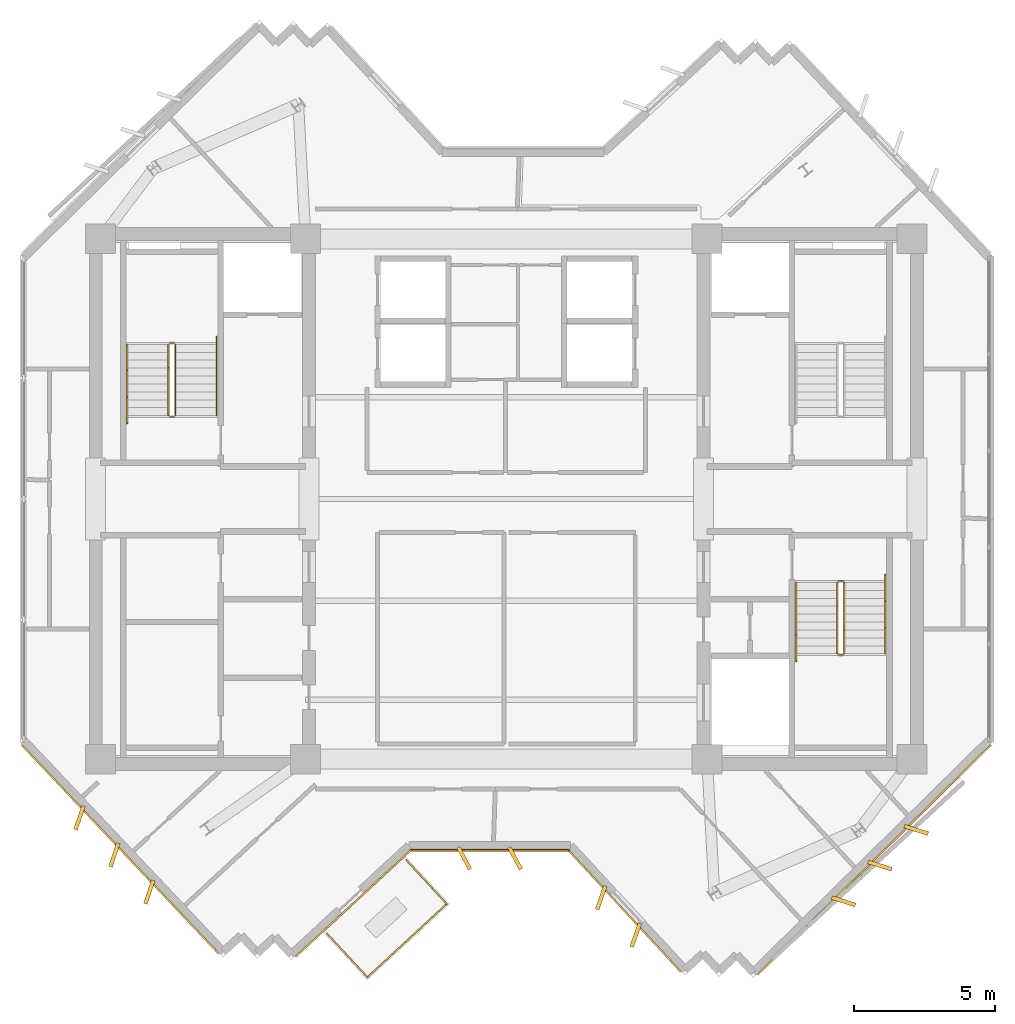
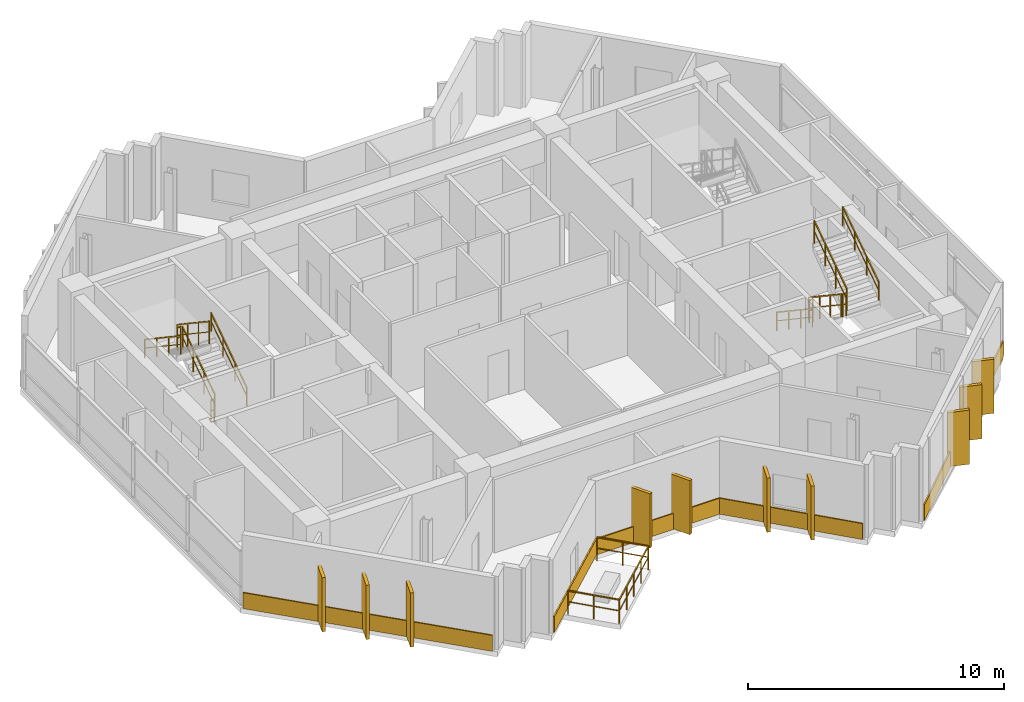
# One storey, part 8 of 9: 15 coverings, 15 railings.
"""IFC4 building model written with IfcOpenShell, lengths in metres."""

from ifc_helpers import new_model, si_unit, direction, frame, origin, origin_2d, place, context, subcontext, project, spatial, rectangle, extrude, source, transform, mapped, material, layer, layer_set, type_object, element, save


model = new_model("IFC4")

# Units and contexts
model_context = context("Model", 3, precision=1e-05, world=origin(), true_north=direction((0.0, 1.0)))
body_context = subcontext(model_context, "Body", "Model", "MODEL_VIEW")
ifc_project = project(units=[si_unit("LENGTHUNIT", "METRE"), si_unit("AREAUNIT", "SQUARE_METRE"), si_unit("VOLUMEUNIT", "CUBIC_METRE"), si_unit("PLANEANGLEUNIT", "RADIAN"), si_unit("MASSUNIT", "GRAM", prefix="KILO")], contexts=[model_context])

# Site, building, storey
site_placement = place(None, origin())
site = spatial("IfcSite", under=ifc_project, at=site_placement, CompositionType="ELEMENT")
building_placement = place(site_placement, origin())
building = spatial("IfcBuilding", under=site, at=building_placement, Name="Zahravan Cultural Tower", CompositionType="ELEMENT")
storey_placement = place(building_placement, frame((0.0, 0.0, 299.10009765625)))
storey = spatial("IfcBuildingStorey", under=building, at=storey_placement, Name="L72", CompositionType="ELEMENT", Elevation=299.10009765625)

# Railings
ifc_material_1 = material(Name="Steel ASTM A572 Grade 50", Category="steel")
railing_type_1 = type_object("IfcRailingType", Name="RL-BAL-1150", PredefinedType="BALUSTRADE", material=ifc_material_1)
railing_1_placement = place(storey_placement, frame((33.891845703125, 12.681640625, 0.0)))
element("IfcRailing", 1, at=railing_1_placement, inside=storey, type_object=railing_type_1, Name="L72 Edge Balustrade GRD-TR-L72-SW-01", PredefinedType="BALUSTRADE", context=body_context, shape_type="SweptSolid", body=[
    extrude(rectangle(XDim=0.05, YDim=0.05, at=origin_2d()), frame((0.0, 0.0, 1.125), z_axis=(-0.73411696243, -0.679023037512, 0.0), x_axis=(0.679023037512, -0.73411696243, 0.0)), (0.0, 0.0, 1.0), 3.81982421875),
    extrude(rectangle(XDim=0.032, YDim=0.032, at=origin_2d()), frame((0.0, 0.0, 0.597900390625), z_axis=(-0.73411696243, -0.679023037512, 0.0), x_axis=(0.679023037512, -0.73411696243, 0.0)), (0.0, 0.0, 1.0), 3.81982421875),
    extrude(rectangle(XDim=0.04, YDim=0.04, at=origin_2d()), origin(), (0.0, 0.0, 1.0), 1.14990234375),
    extrude(rectangle(XDim=0.04, YDim=0.04, at=origin_2d()), frame((-0.701171875, -0.6484375, 0.0)), (0.0, 0.0, 1.0), 1.14990234375),
    extrude(rectangle(XDim=0.04, YDim=0.04, at=origin_2d()), frame((-1.402099609375, -1.296875, 0.0)), (0.0, 0.0, 1.0), 1.14990234375),
    extrude(rectangle(XDim=0.04, YDim=0.04, at=origin_2d()), frame((-2.10302734375, -1.9453125, 0.0)), (0.0, 0.0, 1.0), 1.14990234375),
    extrude(rectangle(XDim=0.04, YDim=0.04, at=origin_2d()), frame((-2.80419921875, -2.59375, 0.0)), (0.0, 0.0, 1.0), 1.14990234375),
])
railing_2_placement = place(storey_placement, frame((31.087646484375, 10.087890625, 0.0)))
element("IfcRailing", 2, at=railing_2_placement, inside=storey, type_object=railing_type_1, Name="L72 Edge Balustrade GRD-TR-L72-SW-02", PredefinedType="BALUSTRADE", context=body_context, shape_type="SweptSolid", body=[
    extrude(rectangle(XDim=0.05, YDim=0.05, at=origin_2d()), frame((0.0, 0.0, 1.125), z_axis=(-0.679076439969, 0.73406756411, 0.0), x_axis=(-0.73406756411, -0.679076439969, 0.0)), (0.0, 0.0, 1.0), 2.099853515625),
    extrude(rectangle(XDim=0.032, YDim=0.032, at=origin_2d()), frame((0.0, 0.0, 0.597900390625), z_axis=(-0.679076439969, 0.73406756411, 0.0), x_axis=(-0.73406756411, -0.679076439969, 0.0)), (0.0, 0.0, 1.0), 2.099853515625),
    extrude(rectangle(XDim=0.04, YDim=0.04, at=origin_2d()), origin(), (0.0, 0.0, 1.0), 1.14990234375),
    extrude(rectangle(XDim=0.04, YDim=0.04, at=origin_2d()), frame((-0.712890625, 0.770751953125, 0.0)), (0.0, 0.0, 1.0), 1.14990234375),
    extrude(rectangle(XDim=0.04, YDim=0.04, at=origin_2d()), frame((-1.426025390625, 1.54150390625, 0.0)), (0.0, 0.0, 1.0), 1.14990234375),
])
railing_3_placement = place(storey_placement, frame((32.4658203125, 14.223388671875, 0.0)))
element("IfcRailing", 3, at=railing_3_placement, inside=storey, type_object=railing_type_1, Name="L72 Edge Balustrade GRD-TR-L72-SW-03", PredefinedType="BALUSTRADE", context=body_context, shape_type="SweptSolid", body=[
    extrude(rectangle(XDim=0.05, YDim=0.05, at=origin_2d()), frame((0.0, 0.0, 1.125), z_axis=(0.679018488434, -0.734121170084, 0.0), x_axis=(0.734121170084, 0.679018488434, 0.0)), (0.0, 0.0, 1.0), 2.10009765625),
    extrude(rectangle(XDim=0.032, YDim=0.032, at=origin_2d()), frame((0.0, 0.0, 0.597900390625), z_axis=(0.679018488434, -0.734121170084, 0.0), x_axis=(0.734121170084, 0.679018488434, 0.0)), (0.0, 0.0, 1.0), 2.10009765625),
    extrude(rectangle(XDim=0.04, YDim=0.04, at=origin_2d()), origin(), (0.0, 0.0, 1.0), 1.14990234375),
    extrude(rectangle(XDim=0.04, YDim=0.04, at=origin_2d()), frame((0.712890625, -0.77099609375, 0.0)), (0.0, 0.0, 1.0), 1.14990234375),
    extrude(rectangle(XDim=0.04, YDim=0.04, at=origin_2d()), frame((1.426025390625, -1.541748046875, 0.0)), (0.0, 0.0, 1.0), 1.14990234375),
])
railing_type_2 = type_object("IfcRailingType", Name="RL-STAIR-GRD1150", PredefinedType="BALUSTRADE", material=ifc_material_1)
railing_4_placement = place(storey_placement, frame((24.300048828125, 29.949951171875, 0.1875)))
element("IfcRailing", 4, at=railing_4_placement, inside=storey, type_object=railing_type_2, Name="L72 ST-W1 stair guard 1", PredefinedType="BALUSTRADE", context=body_context, shape_type="SweptSolid", body=[
    extrude(rectangle(XDim=0.05, YDim=0.05, at=origin_2d()), frame((0.0, 0.0, 1.0751953125), z_axis=(0.0, 0.830909170722, 0.55640807867), x_axis=(-1.0, 0.0, 0.0)), (0.0, 0.0, 1.0), 3.032958984375),
    extrude(rectangle(XDim=0.032, YDim=0.032, at=origin_2d()), frame((0.0, 0.0, 0.572021484375), z_axis=(0.0, 0.830909170722, 0.55640807867), x_axis=(-1.0, 0.0, 0.0)), (0.0, 0.0, 1.0), 3.032958984375),
    extrude(rectangle(XDim=0.04, YDim=0.04, at=origin_2d()), origin(), (0.0, 0.0, 1.0), 1.10009765625),
    extrude(rectangle(XDim=0.04, YDim=0.04, at=origin_2d()), frame((0.0, 0.840087890625, 0.5625)), (0.0, 0.0, 1.0), 1.10009765625),
    extrude(rectangle(XDim=0.04, YDim=0.04, at=origin_2d()), frame((0.0, 1.679931640625, 1.125)), (0.0, 0.0, 1.0), 1.10009765625),
    extrude(rectangle(XDim=0.04, YDim=0.04, at=origin_2d()), frame((0.0, 2.52001953125, 1.6875)), (0.0, 0.0, 1.0), 1.10009765625),
])
railing_5_placement = place(storey_placement, frame((24.25, 32.52001953125, 1.875)))
element("IfcRailing", 5, at=railing_5_placement, inside=storey, type_object=railing_type_2, Name="L72 ST-W1 stair guard 2", PredefinedType="BALUSTRADE", context=body_context, shape_type="SweptSolid", body=[
    extrude(rectangle(XDim=0.05, YDim=0.05, at=origin_2d()), frame((0.0, 0.0, 1.0751953125), z_axis=(-1.0, 0.0, 0.0), x_axis=(0.0, -1.0, 0.0)), (0.0, 0.0, 1.0), 0.14990234375),
    extrude(rectangle(XDim=0.032, YDim=0.032, at=origin_2d()), frame((0.0, 0.0, 0.572021484375), z_axis=(-1.0, 0.0, 0.0), x_axis=(0.0, -1.0, 0.0)), (0.0, 0.0, 1.0), 0.14990234375),
    extrude(rectangle(XDim=0.04, YDim=0.04, at=origin_2d()), origin(), (0.0, 0.0, 1.0), 1.10009765625),
    extrude(rectangle(XDim=0.04, YDim=0.04, at=origin_2d()), frame((-0.14990234375, 0.0, 0.0)), (0.0, 0.0, 1.0), 1.10009765625),
])
railing_6_placement = place(storey_placement, frame((24.050048828125, 32.469970703125, 2.0625)))
element("IfcRailing", 6, at=railing_6_placement, inside=storey, type_object=railing_type_2, Name="L72 ST-W1 stair guard 3", PredefinedType="BALUSTRADE", context=body_context, shape_type="SweptSolid", body=[
    extrude(rectangle(XDim=0.05, YDim=0.05, at=origin_2d()), frame((0.0, 0.0, 1.0751953125), z_axis=(0.0, -0.830909170722, 0.55640807867), x_axis=(1.0, 0.0, 0.0)), (0.0, 0.0, 1.0), 3.032958984375),
    extrude(rectangle(XDim=0.032, YDim=0.032, at=origin_2d()), frame((0.0, 0.0, 0.572021484375), z_axis=(0.0, -0.830909170722, 0.55640807867), x_axis=(1.0, 0.0, 0.0)), (0.0, 0.0, 1.0), 3.032958984375),
    extrude(rectangle(XDim=0.04, YDim=0.04, at=origin_2d()), origin(), (0.0, 0.0, 1.0), 1.10009765625),
    extrude(rectangle(XDim=0.04, YDim=0.04, at=origin_2d()), frame((0.0, -0.840087890625, 0.5625)), (0.0, 0.0, 1.0), 1.10009765625),
    extrude(rectangle(XDim=0.04, YDim=0.04, at=origin_2d()), frame((0.0, -1.679931640625, 1.125)), (0.0, 0.0, 1.0), 1.10009765625),
    extrude(rectangle(XDim=0.04, YDim=0.04, at=origin_2d()), frame((0.0, -2.52001953125, 1.6875)), (0.0, 0.0, 1.0), 1.10009765625),
])
railing_7_placement = place(storey_placement, frame((24.25, 29.89990234375, 0.0)))
element("IfcRailing", 7, at=railing_7_placement, inside=storey, type_object=railing_type_2, Name="L72 ST-W1 stair guard 4", PredefinedType="BALUSTRADE", context=body_context, shape_type="SweptSolid", body=[
    extrude(rectangle(XDim=0.05, YDim=0.05, at=origin_2d()), frame((0.0, 0.0, 1.0751953125), z_axis=(-1.0, 0.0, 0.0), x_axis=(0.0, -1.0, 0.0)), (0.0, 0.0, 1.0), 0.14990234375),
    extrude(rectangle(XDim=0.032, YDim=0.032, at=origin_2d()), frame((0.0, 0.0, 0.572021484375), z_axis=(-1.0, 0.0, 0.0), x_axis=(0.0, -1.0, 0.0)), (0.0, 0.0, 1.0), 0.14990234375),
    extrude(rectangle(XDim=0.04, YDim=0.04, at=origin_2d()), origin(), (0.0, 0.0, 1.0), 1.10009765625),
    extrude(rectangle(XDim=0.04, YDim=0.04, at=origin_2d()), frame((-0.14990234375, 0.0, 0.0)), (0.0, 0.0, 1.0), 1.10009765625),
])
railing_8_placement = place(storey_placement, frame((47.699951171875, 24.050048828125, 0.1875)))
element("IfcRailing", 8, at=railing_8_placement, inside=storey, type_object=railing_type_2, Name="L72 ST-E2 stair guard 1", PredefinedType="BALUSTRADE", context=body_context, shape_type="SweptSolid", body=[
    extrude(rectangle(XDim=0.05, YDim=0.05, at=origin_2d()), frame((0.0, 0.0, 1.0751953125), z_axis=(0.0, -0.830909170722, 0.55640807867), x_axis=(1.0, 0.0, 0.0)), (0.0, 0.0, 1.0), 3.032958984375),
    extrude(rectangle(XDim=0.032, YDim=0.032, at=origin_2d()), frame((0.0, 0.0, 0.572021484375), z_axis=(0.0, -0.830909170722, 0.55640807867), x_axis=(1.0, 0.0, 0.0)), (0.0, 0.0, 1.0), 3.032958984375),
    extrude(rectangle(XDim=0.04, YDim=0.04, at=origin_2d()), origin(), (0.0, 0.0, 1.0), 1.10009765625),
    extrude(rectangle(XDim=0.04, YDim=0.04, at=origin_2d()), frame((0.0, -0.840087890625, 0.5625)), (0.0, 0.0, 1.0), 1.10009765625),
    extrude(rectangle(XDim=0.04, YDim=0.04, at=origin_2d()), frame((0.0, -1.679931640625, 1.125)), (0.0, 0.0, 1.0), 1.10009765625),
    extrude(rectangle(XDim=0.04, YDim=0.04, at=origin_2d()), frame((0.0, -2.52001953125, 1.6875)), (0.0, 0.0, 1.0), 1.10009765625),
])
railing_9_placement = place(storey_placement, frame((47.75, 21.47998046875, 1.875)))
element("IfcRailing", 9, at=railing_9_placement, inside=storey, type_object=railing_type_2, Name="L72 ST-E2 stair guard 2", PredefinedType="BALUSTRADE", context=body_context, shape_type="SweptSolid", body=[
    extrude(rectangle(XDim=0.05, YDim=0.05, at=origin_2d()), frame((0.0, 0.0, 1.0751953125), z_axis=(1.0, 0.0, 0.0), x_axis=(0.0, 1.0, 0.0)), (0.0, 0.0, 1.0), 0.14990234375),
    extrude(rectangle(XDim=0.032, YDim=0.032, at=origin_2d()), frame((0.0, 0.0, 0.572021484375), z_axis=(1.0, 0.0, 0.0), x_axis=(0.0, 1.0, 0.0)), (0.0, 0.0, 1.0), 0.14990234375),
    extrude(rectangle(XDim=0.04, YDim=0.04, at=origin_2d()), origin(), (0.0, 0.0, 1.0), 1.10009765625),
    extrude(rectangle(XDim=0.04, YDim=0.04, at=origin_2d()), frame((0.14990234375, 0.0, 0.0)), (0.0, 0.0, 1.0), 1.10009765625),
])
railing_10_placement = place(storey_placement, frame((47.949951171875, 21.530029296875, 2.0625)))
element("IfcRailing", 10, at=railing_10_placement, inside=storey, type_object=railing_type_2, Name="L72 ST-E2 stair guard 3", PredefinedType="BALUSTRADE", context=body_context, shape_type="SweptSolid", body=[
    extrude(rectangle(XDim=0.05, YDim=0.05, at=origin_2d()), frame((0.0, 0.0, 1.0751953125), z_axis=(0.0, 0.830909170722, 0.55640807867), x_axis=(-1.0, 0.0, 0.0)), (0.0, 0.0, 1.0), 3.032958984375),
    extrude(rectangle(XDim=0.032, YDim=0.032, at=origin_2d()), frame((0.0, 0.0, 0.572021484375), z_axis=(0.0, 0.830909170722, 0.55640807867), x_axis=(-1.0, 0.0, 0.0)), (0.0, 0.0, 1.0), 3.032958984375),
    extrude(rectangle(XDim=0.04, YDim=0.04, at=origin_2d()), origin(), (0.0, 0.0, 1.0), 1.10009765625),
    extrude(rectangle(XDim=0.04, YDim=0.04, at=origin_2d()), frame((0.0, 0.840087890625, 0.5625)), (0.0, 0.0, 1.0), 1.10009765625),
    extrude(rectangle(XDim=0.04, YDim=0.04, at=origin_2d()), frame((0.0, 1.679931640625, 1.125)), (0.0, 0.0, 1.0), 1.10009765625),
    extrude(rectangle(XDim=0.04, YDim=0.04, at=origin_2d()), frame((0.0, 2.52001953125, 1.6875)), (0.0, 0.0, 1.0), 1.10009765625),
])
railing_11_placement = place(storey_placement, frame((47.75, 24.10009765625, 0.0)))
element("IfcRailing", 11, at=railing_11_placement, inside=storey, type_object=railing_type_2, Name="L72 ST-E2 stair guard 4", PredefinedType="BALUSTRADE", context=body_context, shape_type="SweptSolid", body=[
    extrude(rectangle(XDim=0.05, YDim=0.05, at=origin_2d()), frame((0.0, 0.0, 1.0751953125), z_axis=(1.0, 0.0, 0.0), x_axis=(0.0, 1.0, 0.0)), (0.0, 0.0, 1.0), 0.14990234375),
    extrude(rectangle(XDim=0.032, YDim=0.032, at=origin_2d()), frame((0.0, 0.0, 0.572021484375), z_axis=(1.0, 0.0, 0.0), x_axis=(0.0, 1.0, 0.0)), (0.0, 0.0, 1.0), 0.14990234375),
    extrude(rectangle(XDim=0.04, YDim=0.04, at=origin_2d()), origin(), (0.0, 0.0, 1.0), 1.10009765625),
    extrude(rectangle(XDim=0.04, YDim=0.04, at=origin_2d()), frame((0.14990234375, 0.0, 0.0)), (0.0, 0.0, 1.0), 1.10009765625),
])
railing_type_3 = type_object("IfcRailingType", Name="RL-STAIR-HR900", PredefinedType="HANDRAIL", material=ifc_material_1)
railing_12_placement = place(storey_placement, frame((25.75, 29.949951171875, 0.1875)))
element("IfcRailing", 12, at=railing_12_placement, inside=storey, type_object=railing_type_3, Name="L72 ST-W1 stair handrail 1", PredefinedType="HANDRAIL", context=body_context, shape_type="SweptSolid", body=[
    extrude(rectangle(XDim=0.05, YDim=0.05, at=origin_2d()), frame((0.0, 0.0, 0.875), z_axis=(0.0, 0.830911662861, 0.55640435703), x_axis=(-1.0, 0.0, 0.0)), (0.0, 0.0, 1.0), 3.369873046875),
    extrude(rectangle(XDim=0.032, YDim=0.032, at=origin_2d()), frame((0.0, 0.0, 0.468017578125), z_axis=(0.0, 0.830911662861, 0.55640435703), x_axis=(-1.0, 0.0, 0.0)), (0.0, 0.0, 1.0), 3.369873046875),
    extrude(rectangle(XDim=0.04, YDim=0.04, at=origin_2d()), origin(), (0.0, 0.0, 1.0), 0.89990234375),
    extrude(rectangle(XDim=0.04, YDim=0.04, at=origin_2d()), frame((0.0, 0.933349609375, 0.625)), (0.0, 0.0, 1.0), 0.89990234375),
    extrude(rectangle(XDim=0.04, YDim=0.04, at=origin_2d()), frame((0.0, 1.86669921875, 1.25)), (0.0, 0.0, 1.0), 0.89990234375),
    extrude(rectangle(XDim=0.04, YDim=0.04, at=origin_2d()), frame((0.0, 2.800048828125, 1.875)), (0.0, 0.0, 1.0), 0.89990234375),
])
for number, where, name in (
    (13, (22.60009765625, 32.469970703125, 2.0625), "L72 ST-W1 stair handrail 2"),
    (14, (46.25, 24.050048828125, 0.1875), "L72 ST-E2 stair handrail 1"),
):
    element("IfcRailing", number, at=place(storey_placement, frame(where)), inside=storey, type_object=railing_type_3, Name=name, PredefinedType="HANDRAIL", context=body_context, shape_type="SweptSolid", body=[
        extrude(rectangle(XDim=0.05, YDim=0.05, at=origin_2d()), frame((0.0, 0.0, 0.875), z_axis=(0.0, -0.830911662861, 0.55640435703), x_axis=(1.0, 0.0, 0.0)), (0.0, 0.0, 1.0), 3.369873046875),
        extrude(rectangle(XDim=0.032, YDim=0.032, at=origin_2d()), frame((0.0, 0.0, 0.468017578125), z_axis=(0.0, -0.830911662861, 0.55640435703), x_axis=(1.0, 0.0, 0.0)), (0.0, 0.0, 1.0), 3.369873046875),
        extrude(rectangle(XDim=0.04, YDim=0.04, at=origin_2d()), origin(), (0.0, 0.0, 1.0), 0.89990234375),
        extrude(rectangle(XDim=0.04, YDim=0.04, at=origin_2d()), frame((0.0, -0.933349609375, 0.625)), (0.0, 0.0, 1.0), 0.89990234375),
        extrude(rectangle(XDim=0.04, YDim=0.04, at=origin_2d()), frame((0.0, -1.86669921875, 1.25)), (0.0, 0.0, 1.0), 0.89990234375),
        extrude(rectangle(XDim=0.04, YDim=0.04, at=origin_2d()), frame((0.0, -2.800048828125, 1.875)), (0.0, 0.0, 1.0), 0.89990234375),
    ])
railing_13_placement = place(storey_placement, frame((49.39990234375, 21.530029296875, 2.0625)))
element("IfcRailing", 15, at=railing_13_placement, inside=storey, type_object=railing_type_3, Name="L72 ST-E2 stair handrail 2", PredefinedType="HANDRAIL", context=body_context, shape_type="SweptSolid", body=[
    extrude(rectangle(XDim=0.05, YDim=0.05, at=origin_2d()), frame((0.0, 0.0, 0.875), z_axis=(0.0, 0.830911662861, 0.55640435703), x_axis=(-1.0, 0.0, 0.0)), (0.0, 0.0, 1.0), 3.369873046875),
    extrude(rectangle(XDim=0.032, YDim=0.032, at=origin_2d()), frame((0.0, 0.0, 0.468017578125), z_axis=(0.0, 0.830911662861, 0.55640435703), x_axis=(-1.0, 0.0, 0.0)), (0.0, 0.0, 1.0), 3.369873046875),
    extrude(rectangle(XDim=0.04, YDim=0.04, at=origin_2d()), origin(), (0.0, 0.0, 1.0), 0.89990234375),
    extrude(rectangle(XDim=0.04, YDim=0.04, at=origin_2d()), frame((0.0, 0.933349609375, 0.625)), (0.0, 0.0, 1.0), 0.89990234375),
    extrude(rectangle(XDim=0.04, YDim=0.04, at=origin_2d()), frame((0.0, 1.86669921875, 1.25)), (0.0, 0.0, 1.0), 0.89990234375),
    extrude(rectangle(XDim=0.04, YDim=0.04, at=origin_2d()), frame((0.0, 2.800048828125, 1.875)), (0.0, 0.0, 1.0), 0.89990234375),
])

# Coverings
ifc_material_2 = material(Name="Terracotta ceramic cladding", Category="masonry")
ifc_layer = layer(ifc_material_2, 0.06005859375)
ifc_layer_set = layer_set([ifc_layer], Name="Terracotta ceramic cladding")
covering_type = type_object("IfcCoveringType", Name="COV-CLAD-TC60", PredefinedType="CLADDING", material=ifc_layer_set)
shared_shape_1 = source(origin(), body_context, "Body", "SweptSolid", [
    extrude(rectangle(XDim=0.8798828125, YDim=0.139892578125, at=origin_2d()), origin(), (0.0, 0.0, 1.0), 2.580078125),
])
for number, where, z_axis, x_axis, name in (
    (16, (50.493408203125, 15.29931640625, 0.0498046875), (0.0, 0.0, 1.0), (0.954015632209, -0.299756857304, 0.0), "L72 Herringbone Terracotta Fin 06"),
    (17, (49.2109375, 14.03662109375, 0.0498046875), (0.0, 0.0, 1.0), (0.954015632209, -0.299756857304, 0.0), "L72 Herringbone Terracotta Fin 07"),
    (18, (47.92822265625, 12.773681640625, 0.0498046875), (0.0, 0.0, 1.0), (0.954015632209, -0.299756857304, 0.0), "L72 Herringbone Terracotta Fin 08"),
    (19, (40.57861328125, 11.57861328125, 0.0498046875), (0.0, 0.0, 1.0), (-0.329426993022, -0.944181050577, 0.0), "L72 Herringbone Terracotta Fin 09"),
    (20, (39.3564453125, 12.900146484375, 0.0498046875), (0.0, 0.0, 1.0), (-0.329426993022, -0.944181050577, 0.0), "L72 Herringbone Terracotta Fin 10"),
    (21, (36.310546875, 14.2900390625, 0.0498046875), (0.0, 0.0, 1.0), (0.469471562786, -0.882947592859, 0.0), "L72 Herringbone Terracotta Fin 11"),
    (22, (34.510498046875, 14.2900390625, 0.0498046875), (0.0, 0.0, 1.0), (0.469471562786, -0.882947592859, 0.0), "L72 Herringbone Terracotta Fin 12"),
    (23, (23.37451171875, 13.104736328125, 0.0498046875), (0.0, 0.0, 1.0), (-0.319819345143, -0.947478541431, 0.0), "L72 Herringbone Terracotta Fin 13"),
    (24, (22.138916015625, 14.413818359375, 0.0498046875), (0.0, 0.0, 1.0), (-0.319819345143, -0.947478541431, 0.0), "L72 Herringbone Terracotta Fin 14"),
    (25, (20.9033203125, 15.72265625, 0.0498046875), (0.0, 0.0, 1.0), (-0.319819345143, -0.947478541431, 0.0), "L72 Herringbone Terracotta Fin 15"),
):
    element("IfcCovering", number, at=place(storey_placement, frame(where, z_axis=z_axis, x_axis=x_axis)), inside=storey, type_object=covering_type, Name=name, PredefinedType="CLADDING", context=body_context, shape_type="MappedRepresentation", body=[
        mapped(shared_shape_1, transform((0.0, 0.0, 0.0), x_axis=(1.0, 0.0, 0.0), y_axis=(0.0, 1.0, 0.0), z_axis=(0.0, 0.0, 1.0), scale=1.0)),
    ])
shared_shape_2 = source(origin(), body_context, "Body", "SweptSolid", [
    extrude(rectangle(XDim=5.56494140625, YDim=0.06005859375, at=origin_2d()), origin(), (0.0, 0.0, 1.0), 0.760009765625),
])
covering_1_placement = place(storey_placement, frame((30.5859375, 12.695556640625, 0.02001953125), z_axis=(0.0, 0.0, 1.0), x_axis=(-0.73412107288, -0.679018593525, 0.0)))
element("IfcCovering", 26, at=covering_1_placement, inside=storey, type_object=covering_type, Name="L72 Terracotta Spandrel Cladding 14", PredefinedType="CLADDING", context=body_context, shape_type="MappedRepresentation", body=[
    mapped(shared_shape_2, transform((0.0, 0.0, 0.0), x_axis=(1.0, 0.0, 0.0), y_axis=(0.0, 1.0, 0.0), z_axis=(0.0, 0.0, 1.0), scale=1.0)),
])
shared_shape_3 = source(origin(), body_context, "Body", "SweptSolid", [
    extrude(rectangle(XDim=10.173583984375, YDim=0.06005859375, at=origin_2d()), origin(), (0.0, 0.0, 1.0), 0.760009765625),
])
covering_2_placement = place(storey_placement, frame((22.34619140625, 14.609375, 0.02001953125), z_axis=(0.0, 0.0, 1.0), x_axis=(-0.686427809669, 0.727197952495, 0.0)))
element("IfcCovering", 27, at=covering_2_placement, inside=storey, type_object=covering_type, Name="L72 Terracotta Spandrel Cladding 19", PredefinedType="CLADDING", context=body_context, shape_type="MappedRepresentation", body=[
    mapped(shared_shape_3, transform((0.0, 0.0, 0.0), x_axis=(1.0, 0.0, 0.0), y_axis=(0.0, 1.0, 0.0), z_axis=(0.0, 0.0, 1.0), scale=1.0)),
])
shared_shape_4 = source(origin(), body_context, "Body", "SweptSolid", [
    extrude(rectangle(XDim=11.589599609375, YDim=0.06005859375, at=origin_2d()), origin(), (0.0, 0.0, 1.0), 0.760009765625),
])
covering_3_placement = place(storey_placement, frame((49.010986328125, 14.239501953125, 0.02001953125), z_axis=(0.0, 0.0, 1.0), x_axis=(-0.712552805375, -0.701618485755, 0.0)))
element("IfcCovering", 28, at=covering_3_placement, inside=storey, type_object=covering_type, Name="L72 Terracotta Spandrel Cladding 07", PredefinedType="CLADDING", context=body_context, shape_type="MappedRepresentation", body=[
    mapped(shared_shape_4, transform((0.0, 0.0, 0.0), x_axis=(1.0, 0.0, 0.0), y_axis=(0.0, 1.0, 0.0), z_axis=(0.0, 0.0, 1.0), scale=1.0)),
])
shared_shape_5 = source(origin(), body_context, "Body", "SweptSolid", [
    extrude(rectangle(XDim=5.8798828125, YDim=0.06005859375, at=origin_2d()), origin(), (0.0, 0.0, 1.0), 0.760009765625),
])
covering_4_placement = place(storey_placement, frame((40.1767578125, 12.43310546875, 0.02001953125), z_axis=(0.0, 0.0, 1.0), x_axis=(-0.679005780592, 0.734132923879, 0.0)))
element("IfcCovering", 29, at=covering_4_placement, inside=storey, type_object=covering_type, Name="L72 Terracotta Spandrel Cladding 12", PredefinedType="CLADDING", context=body_context, shape_type="MappedRepresentation", body=[
    mapped(shared_shape_5, transform((0.0, 0.0, 0.0), x_axis=(1.0, 0.0, 0.0), y_axis=(0.0, 1.0, 0.0), z_axis=(0.0, 0.0, 1.0), scale=1.0)),
])
shared_shape_6 = source(origin(), body_context, "Body", "SweptSolid", [
    extrude(rectangle(XDim=5.614501953125, YDim=0.06005859375, at=origin_2d()), origin(), (0.0, 0.0, 1.0), 0.760009765625),
])
covering_5_placement = place(storey_placement, frame((35.410400390625, 14.574951171875, 0.02001953125), z_axis=(0.0, 0.0, 1.0), x_axis=(-1.0, 0.0, 0.0)))
element("IfcCovering", 30, at=covering_5_placement, inside=storey, type_object=covering_type, Name="L72 Terracotta Spandrel Cladding 13", PredefinedType="CLADDING", context=body_context, shape_type="MappedRepresentation", body=[
    mapped(shared_shape_6, transform((0.0, 0.0, 0.0), x_axis=(1.0, 0.0, 0.0), y_axis=(0.0, 1.0, 0.0), z_axis=(0.0, 0.0, 1.0), scale=1.0)),
])

save(model, "model.ifc")
